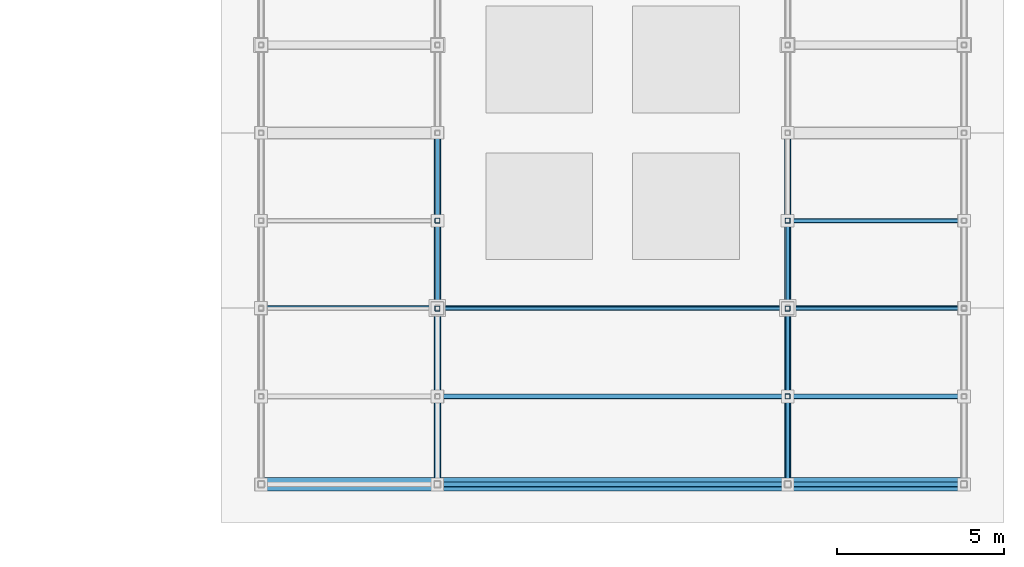
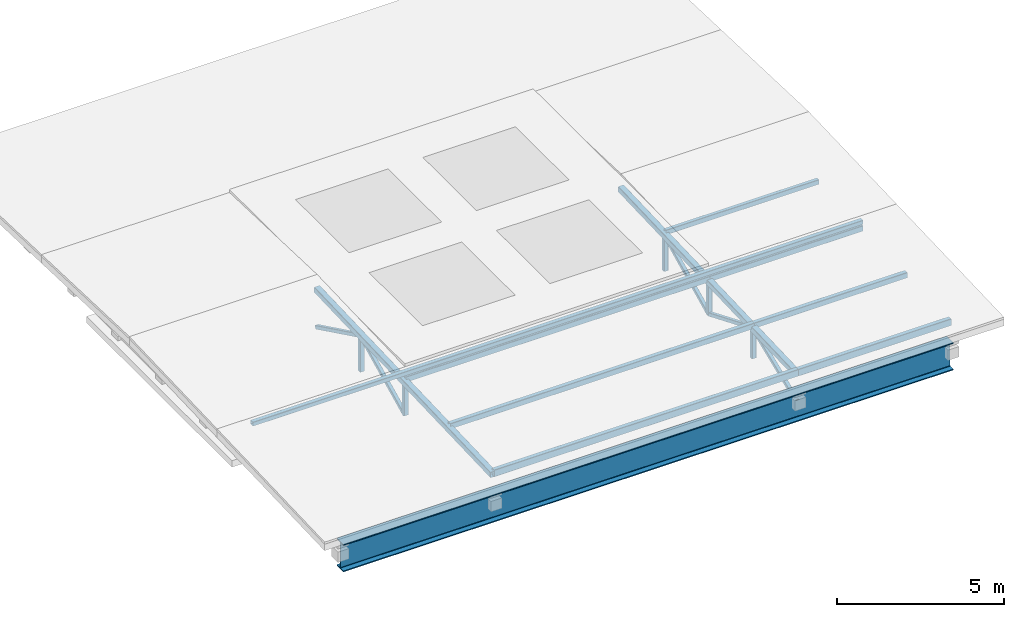
# One storey, part 2 of 25: 17 members, 4 beams.
"""IFC4 building model written with IfcOpenShell, lengths in metres."""

from ifc_helpers import new_model, si_unit, direction, frame, origin, origin_2d, place, context, subcontext, project, spatial, hollow_rectangle, i_section, extrude, material, material_profile, profile_set, type_object, element, save


model = new_model("IFC4")

# Units and contexts
model_context = context("Model", 3, precision=1e-05, world=origin(), true_north=direction((0.0, 1.0)))
body_context = subcontext(model_context, "Body", "Model", "MODEL_VIEW")
ifc_project = project(units=[si_unit("LENGTHUNIT", "METRE"), si_unit("AREAUNIT", "SQUARE_METRE"), si_unit("VOLUMEUNIT", "CUBIC_METRE"), si_unit("PLANEANGLEUNIT", "RADIAN"), si_unit("MASSUNIT", "GRAM", prefix="KILO"), si_unit("THERMODYNAMICTEMPERATUREUNIT", "KELVIN"), si_unit("POWERUNIT", "WATT")], contexts=[model_context])

# Site, building, storey
site_placement = place(None, origin())
site = spatial("IfcSite", under=ifc_project, at=site_placement, CompositionType="ELEMENT")
building_placement = place(site_placement, origin())
building = spatial("IfcBuilding", under=site, at=building_placement, Name="Zelmaris Science Centre", CompositionType="ELEMENT")
storey_placement = place(building_placement, frame((0.0, 0.0, 30.0)))
storey = spatial("IfcBuildingStorey", under=building, at=storey_placement, Name="RF", CompositionType="ELEMENT", Elevation=30.0)

# Beams
ifc_material_1 = material(Name="Steel ASTM A500 Grade C", Category="steel")
ifc_material_profile_1 = material_profile(ifc_material_1, hollow_rectangle(XDim=0.203125, YDim=0.203125, WallThickness=0.01171875, InnerFilletRadius=0.01171875, OuterFilletRadius=0.023681640625, at=origin_2d()), Name="HSS203X203X13")
ifc_profile_set_1 = profile_set([ifc_material_profile_1], Name="Steel ASTM A500 Grade C")
beam_type_1 = type_object("IfcBeamType", Name="Beam G-20 HSS203X203X13", PredefinedType="BEAM", material=ifc_profile_set_1)
for number, where, z_axis, x_axis, name in (
    (1, (75.75, 25.464111328125, 1.34814453125), (0.0, 0.99934977862, 0.036055789719), (-1.0, 0.0, 0.0), "RF-V2 Roof truss 2 south top chord"),
    (2, (86.25, 25.464111328125, 1.34814453125), (0.0, 0.99934977862, 0.036055789719), (-1.0, 0.0, 0.0), "RF-V2 Roof truss 3 south top chord"),
):
    element("IfcBeam", number, at=place(storey_placement, frame(where, z_axis=z_axis, x_axis=x_axis)), inside=storey, type_object=beam_type_1, Name=name, PredefinedType="BEAM", context=body_context, shape_type="SweptSolid", body=[
        extrude(hollow_rectangle(XDim=0.203125, YDim=0.203125, WallThickness=0.01171875, InnerFilletRadius=0.01171875, OuterFilletRadius=0.023681640625, at=origin_2d()), origin(), (0.0, 0.0, 1.0), 10.542724609375),
    ])
ifc_material_profile_2 = material_profile(ifc_material_1, hollow_rectangle(XDim=0.15234375, YDim=0.15234375, WallThickness=0.0087890625, InnerFilletRadius=0.0087890625, OuterFilletRadius=0.017822265625, at=origin_2d()), Name="HSS152X152X10")
ifc_profile_set_2 = profile_set([ifc_material_profile_2], Name="Steel ASTM A500 Grade C")
beam_type_2 = type_object("IfcBeamType", Name="Beam G-21 HSS152X152X10", PredefinedType="BEAM", material=ifc_profile_set_2)
beam_1_placement = place(storey_placement, frame((70.464111328125, 30.75, 1.860107421875), z_axis=(1.0, 0.0, 0.0), x_axis=(0.0, 1.0, 0.0)))
element("IfcBeam", 3, at=beam_1_placement, inside=storey, type_object=beam_type_2, Name="RF-V2 Lantern curb beam S", PredefinedType="BEAM", context=body_context, shape_type="SweptSolid", body=[
    extrude(hollow_rectangle(XDim=0.15234375, YDim=0.15234375, WallThickness=0.0087890625, InnerFilletRadius=0.0087890625, OuterFilletRadius=0.017822265625, at=origin_2d()), origin(), (0.0, 0.0, 1.0), 21.07177734375),
])
ifc_material_2 = material(Name="Steel ASTM A992 Grade 50", Category="steel")
ifc_material_profile_3 = material_profile(ifc_material_2, i_section(OverallWidth=0.40087890625, OverallDepth=1.0009765625, WebThickness=0.01904296875, FlangeThickness=0.0361328125, FilletRadius=0.02490234375, at=origin_2d()), Name="W40X249")
ifc_profile_set_3 = profile_set([ifc_material_profile_3], Name="Steel ASTM A992 Grade 50")
beam_type_3 = type_object("IfcBeamType", Name="Beam G-22 W40X249", PredefinedType="BEAM", material=ifc_profile_set_3)
beam_2_placement = place(storey_placement, frame((70.464111328125, 25.464111328125, 0.24951171875), z_axis=(1.0, 0.0, 0.0), x_axis=(0.0, 1.0, 0.0)))
element("IfcBeam", 4, at=beam_2_placement, inside=storey, type_object=beam_type_3, Name="RF Exhibition roof south bearing girder", PredefinedType="BEAM", context=body_context, shape_type="SweptSolid", body=[
    extrude(i_section(OverallWidth=0.40087890625, OverallDepth=1.0009765625, WebThickness=0.01904296875, FlangeThickness=0.0361328125, FilletRadius=0.02490234375, at=origin_2d()), origin(), (0.0, 0.0, 1.0), 21.07177734375),
])

# Members
ifc_material_profile_4 = material_profile(ifc_material_1, hollow_rectangle(XDim=0.15234375, YDim=0.25390625, WallThickness=0.0087890625, InnerFilletRadius=0.0087890625, OuterFilletRadius=0.017822265625, at=origin_2d()), Name="HSS254X152X10")
ifc_profile_set_4 = profile_set([ifc_material_profile_4], Name="Steel ASTM A500 Grade C")
member_type_1 = type_object("IfcMemberType", Name="Roof Purlin PR-01 HSS254X152X10", PredefinedType="PURLIN", material=ifc_profile_set_4)
member_1_placement = place(storey_placement, frame((75.75, 25.464111328125, 1.417724609375), z_axis=(1.0, 0.0, 0.0), x_axis=(0.0, 1.0, 0.0)))
element("IfcMember", 5, at=member_1_placement, inside=storey, type_object=member_type_1, Name="RF-V2 Roof purlin 10", PredefinedType="PURLIN", context=body_context, shape_type="SweptSolid", body=[
    extrude(hollow_rectangle(XDim=0.15234375, YDim=0.25390625, WallThickness=0.0087890625, InnerFilletRadius=0.0087890625, OuterFilletRadius=0.017822265625, at=origin_2d()), origin(), (0.0, 0.0, 1.0), 10.5),
])
member_2_placement = place(storey_placement, frame((86.25, 25.464111328125, 1.417724609375), z_axis=(1.0, 0.0, 0.0), x_axis=(0.0, 1.0, 0.0)))
element("IfcMember", 6, at=member_2_placement, inside=storey, type_object=member_type_1, Name="RF-V2 Roof purlin 16", PredefinedType="PURLIN", context=body_context, shape_type="SweptSolid", body=[
    extrude(hollow_rectangle(XDim=0.15234375, YDim=0.25390625, WallThickness=0.0087890625, InnerFilletRadius=0.0087890625, OuterFilletRadius=0.017822265625, at=origin_2d()), origin(), (0.0, 0.0, 1.0), 5.285888671875),
])
ifc_material_profile_5 = material_profile(ifc_material_1, hollow_rectangle(XDim=0.15234375, YDim=0.203125, WallThickness=0.0087890625, InnerFilletRadius=0.0087890625, OuterFilletRadius=0.017822265625, at=origin_2d()), Name="HSS203X152X10")
ifc_profile_set_5 = profile_set([ifc_material_profile_5], Name="Steel ASTM A500 Grade C")
member_type_2 = type_object("IfcMemberType", Name="Roof Purlin PR-02 HSS203X152X10", PredefinedType="PURLIN", material=ifc_profile_set_5)
member_3_placement = place(storey_placement, frame((75.75, 28.09814453125, 1.5380859375), z_axis=(1.0, 0.0, 0.0), x_axis=(0.0, 1.0, 0.0)))
element("IfcMember", 7, at=member_3_placement, inside=storey, type_object=member_type_2, Name="RF-V2 Roof purlin 11", PredefinedType="PURLIN", context=body_context, shape_type="SweptSolid", body=[
    extrude(hollow_rectangle(XDim=0.15234375, YDim=0.203125, WallThickness=0.0087890625, InnerFilletRadius=0.0087890625, OuterFilletRadius=0.017822265625, at=origin_2d()), origin(), (0.0, 0.0, 1.0), 10.5),
])
member_4_placement = place(storey_placement, frame((86.25, 28.09814453125, 1.5380859375), z_axis=(1.0, 0.0, 0.0), x_axis=(0.0, 1.0, 0.0)))
element("IfcMember", 8, at=member_4_placement, inside=storey, type_object=member_type_2, Name="RF-V2 Roof purlin 17", PredefinedType="PURLIN", context=body_context, shape_type="SweptSolid", body=[
    extrude(hollow_rectangle(XDim=0.15234375, YDim=0.203125, WallThickness=0.0087890625, InnerFilletRadius=0.0087890625, OuterFilletRadius=0.017822265625, at=origin_2d()), origin(), (0.0, 0.0, 1.0), 5.285888671875),
])
ifc_material_profile_6 = material_profile(ifc_material_1, hollow_rectangle(XDim=0.1015625, YDim=0.203125, WallThickness=0.00732421875, InnerFilletRadius=0.00732421875, OuterFilletRadius=0.014892578125, at=origin_2d()), Name="HSS203X102X8")
ifc_profile_set_6 = profile_set([ifc_material_profile_6], Name="Steel ASTM A500 Grade C")
member_type_3 = type_object("IfcMemberType", Name="Roof Purlin PR-03 HSS203X102X8", PredefinedType="PURLIN", material=ifc_profile_set_6)
member_5_placement = place(storey_placement, frame((75.75, 30.73193359375, 1.63330078125), z_axis=(1.0, 0.0, 0.0), x_axis=(0.0, 1.0, 0.0)))
element("IfcMember", 9, at=member_5_placement, inside=storey, type_object=member_type_3, Name="RF-V2 Roof purlin 12", PredefinedType="PURLIN", context=body_context, shape_type="SweptSolid", body=[
    extrude(hollow_rectangle(XDim=0.1015625, YDim=0.203125, WallThickness=0.00732421875, InnerFilletRadius=0.00732421875, OuterFilletRadius=0.014892578125, at=origin_2d()), origin(), (0.0, 0.0, 1.0), 10.5),
])
member_6_placement = place(storey_placement, frame((86.25, 30.73193359375, 1.63330078125), z_axis=(1.0, 0.0, 0.0), x_axis=(0.0, 1.0, 0.0)))
element("IfcMember", 10, at=member_6_placement, inside=storey, type_object=member_type_3, Name="RF-V2 Roof purlin 18", PredefinedType="PURLIN", context=body_context, shape_type="SweptSolid", body=[
    extrude(hollow_rectangle(XDim=0.1015625, YDim=0.203125, WallThickness=0.00732421875, InnerFilletRadius=0.00732421875, OuterFilletRadius=0.014892578125, at=origin_2d()), origin(), (0.0, 0.0, 1.0), 5.285888671875),
])
ifc_material_profile_7 = material_profile(ifc_material_1, hollow_rectangle(XDim=0.126953125, YDim=0.177734375, WallThickness=0.00732421875, InnerFilletRadius=0.00732421875, OuterFilletRadius=0.014892578125, at=origin_2d()), Name="HSS178X127X8")
ifc_profile_set_7 = profile_set([ifc_material_profile_7], Name="Steel ASTM A500 Grade C")
member_type_4 = type_object("IfcMemberType", Name="Roof Purlin PR-04 HSS178X127X8", PredefinedType="PURLIN", material=ifc_profile_set_7)
member_7_placement = place(storey_placement, frame((86.25, 33.365966796875, 1.740966796875), z_axis=(1.0, 0.0, 0.0), x_axis=(0.0, 1.0, 0.0)))
element("IfcMember", 11, at=member_7_placement, inside=storey, type_object=member_type_4, Name="RF-V2 Roof purlin 19", PredefinedType="PURLIN", context=body_context, shape_type="SweptSolid", body=[
    extrude(hollow_rectangle(XDim=0.126953125, YDim=0.177734375, WallThickness=0.00732421875, InnerFilletRadius=0.00732421875, OuterFilletRadius=0.014892578125, at=origin_2d()), origin(), (0.0, 0.0, 1.0), 5.285888671875),
])
ifc_material_profile_8 = material_profile(ifc_material_1, hollow_rectangle(XDim=0.15234375, YDim=0.15234375, WallThickness=0.0087890625, InnerFilletRadius=0.0087890625, OuterFilletRadius=0.017822265625, at=origin_2d()), Name="HSS152X152X10")
ifc_profile_set_8 = profile_set([ifc_material_profile_8], Name="Steel ASTM A500 Grade C")
member_type_5 = type_object("IfcMemberType", Name="Structural Brace BR-03 HSS152X152X10", PredefinedType="BRACE", material=ifc_profile_set_8)
member_8_placement = place(storey_placement, frame((75.75, 30.73193359375, 0.34814453125), z_axis=(0.0, 0.0, 1.0), x_axis=(1.0, 0.0, 0.0)))
element("IfcMember", 12, at=member_8_placement, inside=storey, type_object=member_type_5, Name="RF-V2 Roof truss 2 vertical web 2", PredefinedType="BRACE", context=body_context, shape_type="SweptSolid", body=[
    extrude(hollow_rectangle(XDim=0.15234375, YDim=0.15234375, WallThickness=0.0087890625, InnerFilletRadius=0.0087890625, OuterFilletRadius=0.017822265625, at=origin_2d()), origin(), (0.0, 0.0, 1.0), 1.18994140625),
])
member_9_placement = place(storey_placement, frame((75.75, 33.365966796875, 0.34814453125), z_axis=(0.0, 0.0, 1.0), x_axis=(1.0, 0.0, 0.0)))
element("IfcMember", 13, at=member_9_placement, inside=storey, type_object=member_type_5, Name="RF-V2 Roof truss 2 vertical web 3", PredefinedType="BRACE", context=body_context, shape_type="SweptSolid", body=[
    extrude(hollow_rectangle(XDim=0.15234375, YDim=0.15234375, WallThickness=0.0087890625, InnerFilletRadius=0.0087890625, OuterFilletRadius=0.017822265625, at=origin_2d()), origin(), (0.0, 0.0, 1.0), 1.28515625),
])
member_10_placement = place(storey_placement, frame((86.25, 28.09814453125, 0.34814453125), z_axis=(0.0, 0.0, 1.0), x_axis=(1.0, 0.0, 0.0)))
element("IfcMember", 14, at=member_10_placement, inside=storey, type_object=member_type_5, Name="RF-V2 Roof truss 3 vertical web 1", PredefinedType="BRACE", context=body_context, shape_type="SweptSolid", body=[
    extrude(hollow_rectangle(XDim=0.15234375, YDim=0.15234375, WallThickness=0.0087890625, InnerFilletRadius=0.0087890625, OuterFilletRadius=0.017822265625, at=origin_2d()), origin(), (0.0, 0.0, 1.0), 1.094970703125),
])
member_11_placement = place(storey_placement, frame((86.25, 30.73193359375, 0.34814453125), z_axis=(0.0, 0.0, 1.0), x_axis=(1.0, 0.0, 0.0)))
element("IfcMember", 15, at=member_11_placement, inside=storey, type_object=member_type_5, Name="RF-V2 Roof truss 3 vertical web 2", PredefinedType="BRACE", context=body_context, shape_type="SweptSolid", body=[
    extrude(hollow_rectangle(XDim=0.15234375, YDim=0.15234375, WallThickness=0.0087890625, InnerFilletRadius=0.0087890625, OuterFilletRadius=0.017822265625, at=origin_2d()), origin(), (0.0, 0.0, 1.0), 1.18994140625),
])
member_12_placement = place(storey_placement, frame((86.25, 33.365966796875, 0.34814453125), z_axis=(0.0, 0.0, 1.0), x_axis=(1.0, 0.0, 0.0)))
element("IfcMember", 16, at=member_12_placement, inside=storey, type_object=member_type_5, Name="RF-V2 Roof truss 3 vertical web 3", PredefinedType="BRACE", context=body_context, shape_type="SweptSolid", body=[
    extrude(hollow_rectangle(XDim=0.15234375, YDim=0.15234375, WallThickness=0.0087890625, InnerFilletRadius=0.0087890625, OuterFilletRadius=0.017822265625, at=origin_2d()), origin(), (0.0, 0.0, 1.0), 1.28515625),
])
ifc_material_profile_9 = material_profile(ifc_material_1, hollow_rectangle(XDim=0.126953125, YDim=0.126953125, WallThickness=0.00732421875, InnerFilletRadius=0.00732421875, OuterFilletRadius=0.014892578125, at=origin_2d()), Name="HSS127X127X8")
ifc_profile_set_9 = profile_set([ifc_material_profile_9], Name="Steel ASTM A500 Grade C")
member_type_6 = type_object("IfcMemberType", Name="Structural Brace BR-04 HSS127X127X8", PredefinedType="BRACE", material=ifc_profile_set_9)
for number, where, z_axis, x_axis, name in (
    (17, (75.75, 30.73193359375, 0.34814453125), (0.0, 0.898733216997, 0.438495843384), (-1.0, 0.0, 0.0), "RF-V2 Roof truss 2 web diagonal 3"),
    (18, (75.75, 33.365966796875, 1.63330078125), (0.0, 0.898733216997, -0.438495843384), (-1.0, 0.0, 0.0), "RF-V2 Roof truss 2 web diagonal 4"),
):
    element("IfcMember", number, at=place(storey_placement, frame(where, z_axis=z_axis, x_axis=x_axis)), inside=storey, type_object=member_type_6, Name=name, PredefinedType="BRACE", context=body_context, shape_type="SweptSolid", body=[
        extrude(hollow_rectangle(XDim=0.126953125, YDim=0.126953125, WallThickness=0.00732421875, InnerFilletRadius=0.00732421875, OuterFilletRadius=0.014892578125, at=origin_2d()), origin(), (0.0, 0.0, 1.0), 2.930908203125),
    ])
member_13_placement = place(storey_placement, frame((86.25, 25.464111328125, 0.34814453125), z_axis=(0.0, 0.923393128755, 0.383855610572), x_axis=(-1.0, 0.0, 0.0)))
element("IfcMember", 19, at=member_13_placement, inside=storey, type_object=member_type_6, Name="RF-V2 Roof truss 3 web diagonal 1", PredefinedType="BRACE", context=body_context, shape_type="SweptSolid", body=[
    extrude(hollow_rectangle(XDim=0.126953125, YDim=0.126953125, WallThickness=0.00732421875, InnerFilletRadius=0.00732421875, OuterFilletRadius=0.014892578125, at=origin_2d()), origin(), (0.0, 0.0, 1.0), 2.8525390625),
])
member_14_placement = place(storey_placement, frame((86.25, 28.09814453125, 1.443115234375), z_axis=(0.0, 0.923380516501, -0.383885948879), x_axis=(-1.0, 0.0, 0.0)))
element("IfcMember", 20, at=member_14_placement, inside=storey, type_object=member_type_6, Name="RF-V2 Roof truss 3 web diagonal 2", PredefinedType="BRACE", context=body_context, shape_type="SweptSolid", body=[
    extrude(hollow_rectangle(XDim=0.126953125, YDim=0.126953125, WallThickness=0.00732421875, InnerFilletRadius=0.00732421875, OuterFilletRadius=0.014892578125, at=origin_2d()), origin(), (0.0, 0.0, 1.0), 2.852294921875),
])
member_15_placement = place(storey_placement, frame((86.25, 30.73193359375, 0.34814453125), z_axis=(0.0, 0.898733216997, 0.438495843384), x_axis=(-1.0, 0.0, 0.0)))
element("IfcMember", 21, at=member_15_placement, inside=storey, type_object=member_type_6, Name="RF-V2 Roof truss 3 web diagonal 3", PredefinedType="BRACE", context=body_context, shape_type="SweptSolid", body=[
    extrude(hollow_rectangle(XDim=0.126953125, YDim=0.126953125, WallThickness=0.00732421875, InnerFilletRadius=0.00732421875, OuterFilletRadius=0.014892578125, at=origin_2d()), origin(), (0.0, 0.0, 1.0), 2.930908203125),
])

save(model, "model.ifc")
